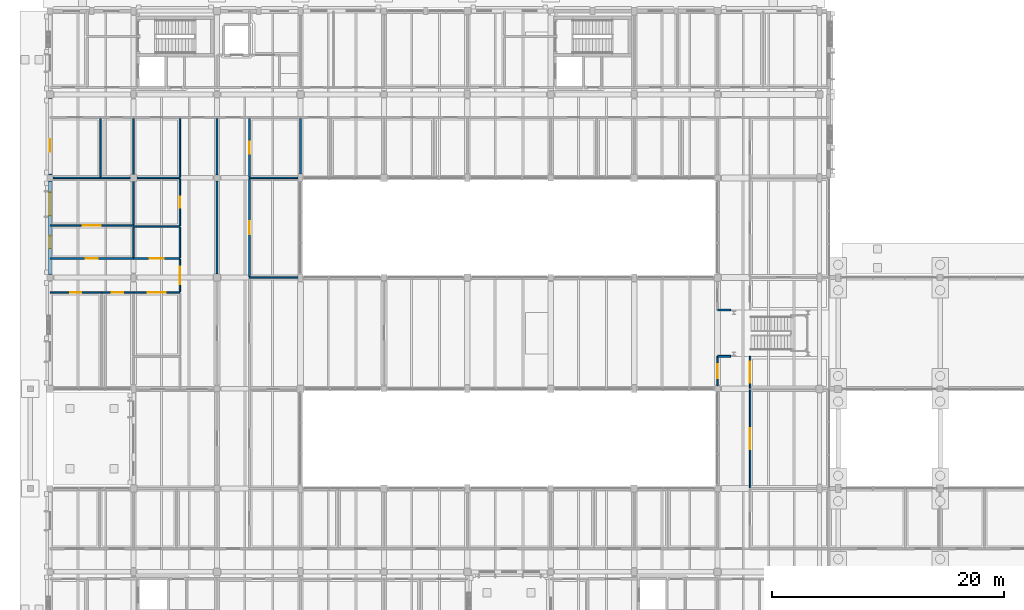
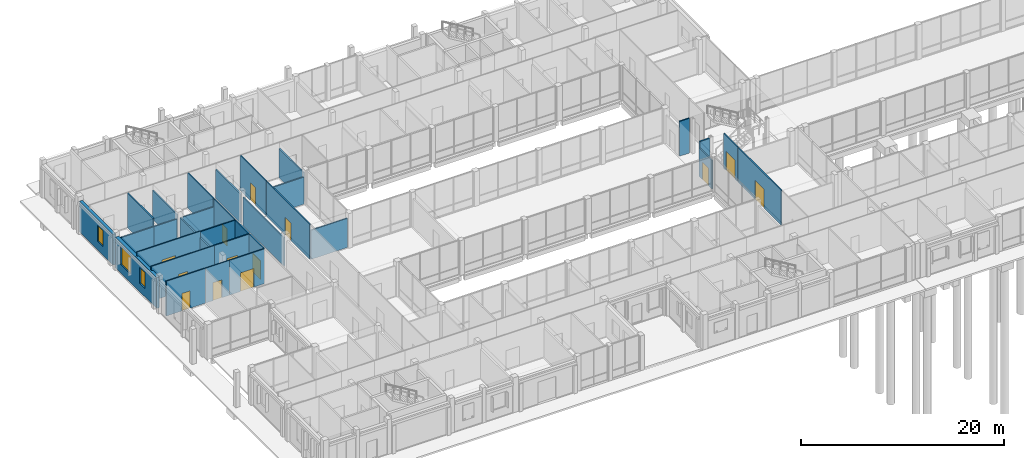
# One storey, part 73 of 104: 32 walls, 13 doors, 3 windows, 16 openings.
"""IFC4 building model written with IfcOpenShell, lengths in metres."""

from ifc_helpers import new_model, si_unit, direction, frame, frame_2d, origin, place, context, subcontext, project, spatial, rectangle, extrude, material, layer, layer_set, type_object, element, fill, save


model = new_model("IFC4")

# Units and contexts
model_context = context("Model", 3, precision=1e-05, world=origin(), true_north=direction((0.0, 1.0)))
body_context = subcontext(model_context, "Body", "Model", "MODEL_VIEW")
ifc_project = project(units=[si_unit("LENGTHUNIT", "METRE"), si_unit("AREAUNIT", "SQUARE_METRE"), si_unit("VOLUMEUNIT", "CUBIC_METRE"), si_unit("PLANEANGLEUNIT", "RADIAN"), si_unit("MASSUNIT", "GRAM", prefix="KILO")], contexts=[model_context])

# Site, building, storey
site_placement = place(None, origin())
site = spatial("IfcSite", under=ifc_project, at=site_placement, CompositionType="ELEMENT")
building_placement = place(site_placement, origin())
building = spatial("IfcBuilding", under=site, at=building_placement, Name="Hawrajan Terrace Health Centre", CompositionType="ELEMENT")
storey_placement = place(building_placement, origin())
storey = spatial("IfcBuildingStorey", under=building, at=storey_placement, Name="L00", CompositionType="ELEMENT", Elevation=0.0)

# Wall, opening, door
ifc_material_1 = material(Name="Gypsum board on acoustic stud framing")
ifc_layer_1 = layer(ifc_material_1, 0.139892578125)
ifc_layer_set_1 = layer_set([ifc_layer_1], Name="Gypsum board on acoustic stud framing")
wall_type_1 = type_object("IfcWallType", Name="ClinicalAcousticWall_140", PredefinedType="PARTITIONING", material=ifc_layer_set_1)
wall_1_placement = place(storey_placement, frame((4.60009765625, 35.5, 0.0), z_axis=(0.0, 0.0, 1.0), x_axis=(1.0, 0.0, 0.0)))
wall_1 = element("IfcWall", 1, at=wall_1_placement, inside=storey, type_object=wall_type_1, Name="Interior wall IW-L00-0200", PredefinedType="PARTITIONING", context=body_context, shape_type="SweptSolid", body=[
    extrude(rectangle(XDim=4.456787109375, YDim=0.139892578125, at=frame_2d((2.228515625, 0.0))), origin(), (0.0, 0.0, 1.0), 4.179931640625),
])
opening_1_placement = place(wall_1_placement, frame((1.75341796875, 0.0, 0.0)))
opening_1 = element("IfcOpeningElement", 2, at=opening_1_placement, cuts=wall_1, Name="Opening D-L00-153", PredefinedType="OPENING", context=body_context, shape_type="SweptSolid", body=[
    extrude(rectangle(XDim=0.949951171875, YDim=2.10009765625, at=frame_2d((0.47509765625, 1.050048828125))), frame((0.0, 0.079833984375, 0.0), z_axis=(0.0, -1.0, 0.0), x_axis=(1.0, 0.0, 0.0)), (0.0, 0.0, 1.0), 0.159912109375),
])
ifc_material_2 = material(Name="Hardwood acoustic clinical door leaf and frame", Category="wood")
door_type_1 = type_object("IfcDoorType", Name="AccessibleWCDoor_950x2100", OperationType="NOTDEFINED", PredefinedType="DOOR", material=ifc_material_2)
door_1_placement = place(opening_1_placement, origin())
door_1 = element("IfcDoor", 3, at=door_1_placement, inside=storey, type_object=door_type_1, Name="Interior door D-L00-153", OperationType="SINGLE_SWING_LEFT", OverallHeight=2.10009765625, OverallWidth=0.949951171875, PredefinedType="DOOR", context=body_context, shape_type="SweptSolid", body=[
    extrude(rectangle(XDim=0.949951171875, YDim=2.10009765625, at=frame_2d((0.47509765625, 1.050048828125))), frame((0.0, 0.02490234375, 0.0), z_axis=(0.0, -1.0, 0.0), x_axis=(1.0, 0.0, 0.0)), (0.0, 0.0, 1.0), 0.050048828125),
])
fill(opening_1, door_1)

wall_2_placement = place(storey_placement, frame((4.60009765625, 38.449951171875, 0.0), z_axis=(0.0, 0.0, 1.0), x_axis=(1.0, 0.0, 0.0)))
wall_2 = element("IfcWall", 4, at=wall_2_placement, inside=storey, type_object=wall_type_1, Name="Interior wall IW-L00-0201", PredefinedType="PARTITIONING", context=body_context, shape_type="SweptSolid", body=[
    extrude(rectangle(XDim=7.199951171875, YDim=0.139892578125, at=frame_2d((3.60009765625, 0.0))), origin(), (0.0, 0.0, 1.0), 4.179931640625),
])
opening_2_placement = place(wall_2_placement, frame((3.070068359375, 0.0, 0.0)))
opening_2 = element("IfcOpeningElement", 5, at=opening_2_placement, cuts=wall_2, Name="Opening D-L00-155", PredefinedType="OPENING", context=body_context, shape_type="SweptSolid", body=[
    extrude(rectangle(XDim=1.06005859375, YDim=2.14990234375, at=frame_2d((0.530029296875, 1.074951171875))), frame((0.0, 0.079833984375, 0.0), z_axis=(0.0, -1.0, 0.0), x_axis=(1.0, 0.0, 0.0)), (0.0, 0.0, 1.0), 0.159912109375),
])
door_type_2 = type_object("IfcDoorType", Name="MentalHealthDoor_1060x2150", OperationType="NOTDEFINED", PredefinedType="DOOR", material=ifc_material_2)
door_2_placement = place(opening_2_placement, origin())
door_2 = element("IfcDoor", 6, at=door_2_placement, inside=storey, type_object=door_type_2, Name="Interior door D-L00-155", OperationType="SINGLE_SWING_LEFT", OverallHeight=2.14990234375, OverallWidth=1.06005859375, PredefinedType="DOOR", context=body_context, shape_type="SweptSolid", body=[
    extrude(rectangle(XDim=1.06005859375, YDim=2.14990234375, at=frame_2d((0.530029296875, 1.074951171875))), frame((0.0, 0.02490234375, 0.0), z_axis=(0.0, -1.0, 0.0), x_axis=(1.0, 0.0, 0.0)), (0.0, 0.0, 1.0), 0.050048828125),
])
fill(opening_2, door_2)

wall_3_placement = place(storey_placement, frame((4.60009765625, 41.279052734375, 0.0), z_axis=(0.0, 0.0, 1.0), x_axis=(1.0, 0.0, 0.0)))
wall_3 = element("IfcWall", 7, at=wall_3_placement, inside=storey, type_object=wall_type_1, Name="Interior wall IW-L00-0202", PredefinedType="PARTITIONING", context=body_context, shape_type="SweptSolid", body=[
    extrude(rectangle(XDim=7.199951171875, YDim=0.139892578125, at=frame_2d((3.60009765625, 0.0))), origin(), (0.0, 0.0, 1.0), 4.179931640625),
])
opening_3_placement = place(wall_3_placement, frame((2.830078125, 0.0, 0.0)))
opening_3 = element("IfcOpeningElement", 8, at=opening_3_placement, cuts=wall_3, Name="Opening D-L00-156", PredefinedType="OPENING", context=body_context, shape_type="SweptSolid", body=[
    extrude(rectangle(XDim=1.5400390625, YDim=2.25, at=frame_2d((0.77001953125, 1.125))), frame((0.0, 0.079833984375, 0.0), z_axis=(0.0, -1.0, 0.0), x_axis=(1.0, 0.0, 0.0)), (0.0, 0.0, 1.0), 0.159912109375),
])
door_type_3 = type_object("IfcDoorType", Name="RecoveryBayDoor_1540x2250", OperationType="DOUBLE_DOOR_SINGLE_SWING", PredefinedType="DOOR", material=ifc_material_2)
door_3_placement = place(opening_3_placement, origin())
door_3 = element("IfcDoor", 9, at=door_3_placement, inside=storey, type_object=door_type_3, Name="Interior door D-L00-156", OperationType="DOUBLE_DOOR_SINGLE_SWING", OverallHeight=2.25, OverallWidth=1.5400390625, PredefinedType="DOOR", context=body_context, shape_type="SweptSolid", body=[
    extrude(rectangle(XDim=1.5400390625, YDim=2.25, at=frame_2d((0.77001953125, 1.125))), frame((0.0, 0.02490234375, 0.0), z_axis=(0.0, -1.0, 0.0), x_axis=(1.0, 0.0, 0.0)), (0.0, 0.0, 1.0), 0.050048828125),
])
fill(opening_3, door_3)

# Walls
wall_4_placement = place(storey_placement, frame((4.85009765625, 45.39990234375, 0.0), z_axis=(0.0, 0.0, 1.0), x_axis=(1.0, 0.0, 0.0)))
element("IfcWall", 10, at=wall_4_placement, inside=storey, type_object=wall_type_1, Name="Interior wall IW-L00-0203", PredefinedType="PARTITIONING", context=body_context, shape_type="SweptSolid", body=[
    extrude(rectangle(XDim=4.083984375, YDim=0.139892578125, at=frame_2d((2.0419921875, 0.0))), origin(), (0.0, 0.0, 1.0), 3.25),
])
wall_5_placement = place(storey_placement, frame((8.93408203125, 45.469970703125, 0.0), z_axis=(0.0, 0.0, 1.0), x_axis=(0.0, 1.0, 0.0)))
element("IfcWall", 11, at=wall_5_placement, inside=storey, type_object=wall_type_1, Name="Interior wall IW-L00-0216", PredefinedType="PARTITIONING", context=body_context, shape_type="SweptSolid", body=[
    extrude(rectangle(XDim=5.06005859375, YDim=0.139892578125, at=frame_2d((2.530029296875, 0.0))), origin(), (0.0, 0.0, 1.0), 4.179931640625),
])
wall_6_placement = place(storey_placement, frame((8.93408203125, 45.39990234375, 0.0), z_axis=(0.0, 0.0, 1.0), x_axis=(1.0, 0.0, 0.0)))
element("IfcWall", 12, at=wall_6_placement, inside=storey, type_object=wall_type_1, Name="Interior wall IW-L00-0217", PredefinedType="PARTITIONING", context=body_context, shape_type="SweptSolid", body=[
    extrude(rectangle(XDim=2.56591796875, YDim=0.139892578125, at=frame_2d((1.282958984375, 0.0))), origin(), (0.0, 0.0, 1.0), 3.25),
])

# Wall, opening, door
wall_7_placement = place(storey_placement, frame((9.056884765625, 35.5, 0.0), z_axis=(0.0, 0.0, 1.0), x_axis=(1.0, 0.0, 0.0)))
wall_7 = element("IfcWall", 13, at=wall_7_placement, inside=storey, type_object=wall_type_1, Name="Interior wall IW-L00-0220", PredefinedType="PARTITIONING", context=body_context, shape_type="SweptSolid", body=[
    extrude(rectangle(XDim=2.7431640625, YDim=0.139892578125, at=frame_2d((1.37158203125, 0.0))), origin(), (0.0, 0.0, 1.0), 4.179931640625),
])
opening_4_placement = place(wall_7_placement, frame((0.881591796875, 0.0, 0.0)))
opening_4 = element("IfcOpeningElement", 14, at=opening_4_placement, cuts=wall_7, Name="Opening D-L00-154", PredefinedType="OPENING", context=body_context, shape_type="SweptSolid", body=[
    extrude(rectangle(XDim=0.97998046875, YDim=2.14990234375, at=frame_2d((0.489990234375, 1.074951171875))), frame((0.0, 0.079833984375, 0.0), z_axis=(0.0, -1.0, 0.0), x_axis=(1.0, 0.0, 0.0)), (0.0, 0.0, 1.0), 0.159912109375),
])
door_type_4 = type_object("IfcDoorType", Name="ConsultDoor_980x2150", OperationType="NOTDEFINED", PredefinedType="DOOR", material=ifc_material_2)
door_4_placement = place(opening_4_placement, origin())
door_4 = element("IfcDoor", 15, at=door_4_placement, inside=storey, type_object=door_type_4, Name="Interior door D-L00-154", OperationType="SINGLE_SWING_RIGHT", OverallHeight=2.14990234375, OverallWidth=0.97998046875, PredefinedType="DOOR", context=body_context, shape_type="SweptSolid", body=[
    extrude(rectangle(XDim=0.97998046875, YDim=2.14990234375, at=frame_2d((0.489990234375, 1.074951171875))), frame((0.0, 0.02490234375, 0.0), z_axis=(0.0, -1.0, 0.0), x_axis=(1.0, 0.0, 0.0)), (0.0, 0.0, 1.0), 0.050048828125),
])
fill(opening_4, door_4)

wall_8_placement = place(storey_placement, frame((11.800048828125, 35.5, 0.0), z_axis=(0.0, 0.0, 1.0), x_axis=(1.0, 0.0, 0.0)))
wall_8 = element("IfcWall", 16, at=wall_8_placement, inside=storey, type_object=wall_type_1, Name="Interior wall IW-L00-0228", PredefinedType="PARTITIONING", context=body_context, shape_type="SweptSolid", body=[
    extrude(rectangle(XDim=4.0, YDim=0.139892578125, at=frame_2d((2.0, 0.0))), origin(), (0.0, 0.0, 1.0), 4.179931640625),
])
opening_5_placement = place(wall_8_placement, frame((1.22998046875, 0.0, 0.0)))
opening_5 = element("IfcOpeningElement", 17, at=opening_5_placement, cuts=wall_8, Name="Opening D-L00-161", PredefinedType="OPENING", context=body_context, shape_type="SweptSolid", body=[
    extrude(rectangle(XDim=1.5400390625, YDim=2.25, at=frame_2d((0.77001953125, 1.125))), frame((0.0, 0.079833984375, 0.0), z_axis=(0.0, -1.0, 0.0), x_axis=(1.0, 0.0, 0.0)), (0.0, 0.0, 1.0), 0.159912109375),
])
door_5_placement = place(opening_5_placement, origin())
door_5 = element("IfcDoor", 18, at=door_5_placement, inside=storey, type_object=door_type_3, Name="Interior door D-L00-161", OperationType="DOUBLE_DOOR_SINGLE_SWING", OverallHeight=2.25, OverallWidth=1.5400390625, PredefinedType="DOOR", context=body_context, shape_type="SweptSolid", body=[
    extrude(rectangle(XDim=1.5400390625, YDim=2.25, at=frame_2d((0.77001953125, 1.125))), frame((0.0, 0.02490234375, 0.0), z_axis=(0.0, -1.0, 0.0), x_axis=(1.0, 0.0, 0.0)), (0.0, 0.0, 1.0), 0.050048828125),
])
fill(opening_5, door_5)

# Wall
wall_9_placement = place(storey_placement, frame((11.800048828125, 38.52001953125, 0.0), z_axis=(0.0, 0.0, 1.0), x_axis=(0.0, 1.0, 0.0)))
element("IfcWall", 19, at=wall_9_placement, inside=storey, type_object=wall_type_1, Name="Interior wall IW-L00-0229", PredefinedType="PARTITIONING", context=body_context, shape_type="SweptSolid", body=[
    extrude(rectangle(XDim=2.6259765625, YDim=0.139892578125, at=frame_2d((1.31298828125, 0.0))), origin(), (0.0, 0.0, 1.0), 3.5),
])

# Wall, opening, door
wall_10_placement = place(storey_placement, frame((11.800048828125, 38.449951171875, 0.0), z_axis=(0.0, 0.0, 1.0), x_axis=(1.0, 0.0, 0.0)))
wall_10 = element("IfcWall", 20, at=wall_10_placement, inside=storey, type_object=wall_type_1, Name="Interior wall IW-L00-0230", PredefinedType="PARTITIONING", context=body_context, shape_type="SweptSolid", body=[
    extrude(rectangle(XDim=4.0, YDim=0.139892578125, at=frame_2d((2.0, 0.0))), origin(), (0.0, 0.0, 1.0), 4.179931640625),
])
opening_6_placement = place(wall_10_placement, frame((1.389892578125, 0.0, 0.0)))
opening_6 = element("IfcOpeningElement", 21, at=opening_6_placement, cuts=wall_10, Name="Opening D-L00-162", PredefinedType="OPENING", context=body_context, shape_type="SweptSolid", body=[
    extrude(rectangle(XDim=1.219970703125, YDim=2.10009765625, at=frame_2d((0.60986328125, 1.050048828125))), frame((0.0, 0.079833984375, 0.0), z_axis=(0.0, -1.0, 0.0), x_axis=(1.0, 0.0, 0.0)), (0.0, 0.0, 1.0), 0.159912109375),
])
door_type_5 = type_object("IfcDoorType", Name="ConsultDoor_1220x2100", OperationType="NOTDEFINED", PredefinedType="DOOR", material=ifc_material_2)
door_6_placement = place(opening_6_placement, origin())
door_6 = element("IfcDoor", 22, at=door_6_placement, inside=storey, type_object=door_type_5, Name="Interior door D-L00-162", OperationType="SINGLE_SWING_RIGHT", OverallHeight=2.10009765625, OverallWidth=1.219970703125, PredefinedType="DOOR", context=body_context, shape_type="SweptSolid", body=[
    extrude(rectangle(XDim=1.219970703125, YDim=2.10009765625, at=frame_2d((0.60986328125, 1.050048828125))), frame((0.0, 0.02490234375, 0.0), z_axis=(0.0, -1.0, 0.0), x_axis=(1.0, 0.0, 0.0)), (0.0, 0.0, 1.0), 0.050048828125),
])
fill(opening_6, door_6)

# Walls
wall_11_placement = place(storey_placement, frame((11.800048828125, 41.216064453125, 0.0), z_axis=(0.0, 0.0, 1.0), x_axis=(1.0, 0.0, 0.0)))
element("IfcWall", 23, at=wall_11_placement, inside=storey, type_object=wall_type_1, Name="Interior wall IW-L00-0231", PredefinedType="PARTITIONING", context=body_context, shape_type="SweptSolid", body=[
    extrude(rectangle(XDim=4.0, YDim=0.139892578125, at=frame_2d((2.0, 0.0))), origin(), (0.0, 0.0, 1.0), 4.179931640625),
])
wall_12_placement = place(storey_placement, frame((11.800048828125, 41.34912109375, 0.0), z_axis=(0.0, 0.0, 1.0), x_axis=(0.0, 1.0, 0.0)))
element("IfcWall", 24, at=wall_12_placement, inside=storey, type_object=wall_type_1, Name="Interior wall IW-L00-0232", PredefinedType="PARTITIONING", context=body_context, shape_type="SweptSolid", body=[
    extrude(rectangle(XDim=3.7509765625, YDim=0.139892578125, at=frame_2d((1.87548828125, 0.0))), origin(), (0.0, 0.0, 1.0), 3.5),
])
wall_13_placement = place(storey_placement, frame((11.800048828125, 45.699951171875, 0.0), z_axis=(0.0, 0.0, 1.0), x_axis=(0.0, 1.0, 0.0)))
element("IfcWall", 25, at=wall_13_placement, inside=storey, type_object=wall_type_1, Name="Interior wall IW-L00-0233", PredefinedType="PARTITIONING", context=body_context, shape_type="SweptSolid", body=[
    extrude(rectangle(XDim=4.830078125, YDim=0.139892578125, at=frame_2d((2.4150390625, 0.0))), origin(), (0.0, 0.0, 1.0), 3.5),
])
wall_14_placement = place(storey_placement, frame((12.10009765625, 45.39990234375, 0.0), z_axis=(0.0, 0.0, 1.0), x_axis=(1.0, 0.0, 0.0)))
element("IfcWall", 26, at=wall_14_placement, inside=storey, type_object=wall_type_1, Name="Interior wall IW-L00-0234", PredefinedType="PARTITIONING", context=body_context, shape_type="SweptSolid", body=[
    extrude(rectangle(XDim=3.699951171875, YDim=0.139892578125, at=frame_2d((1.85009765625, 0.0))), origin(), (0.0, 0.0, 1.0), 3.25),
])

# Wall, opening, door
wall_15_placement = place(storey_placement, frame((15.800048828125, 35.570068359375, 0.0), z_axis=(0.0, 0.0, 1.0), x_axis=(0.0, 1.0, 0.0)))
wall_15 = element("IfcWall", 27, at=wall_15_placement, inside=storey, type_object=wall_type_1, Name="Interior wall IW-L00-0244", PredefinedType="PARTITIONING", context=body_context, shape_type="SweptSolid", body=[
    extrude(rectangle(XDim=2.809814453125, YDim=0.139892578125, at=frame_2d((1.40478515625, 0.0))), origin(), (0.0, 0.0, 1.0), 4.179931640625),
])
opening_7_placement = place(wall_15_placement, frame((0.635009765625, 0.0, 0.0)))
opening_7 = element("IfcOpeningElement", 28, at=opening_7_placement, cuts=wall_15, Name="Opening D-L00-112", PredefinedType="OPENING", context=body_context, shape_type="SweptSolid", body=[
    extrude(rectangle(XDim=1.5400390625, YDim=2.25, at=frame_2d((0.77001953125, 1.125))), frame((0.0, 0.079833984375, 0.0), z_axis=(0.0, -1.0, 0.0), x_axis=(1.0, 0.0, 0.0)), (0.0, 0.0, 1.0), 0.159912109375),
])
door_7_placement = place(opening_7_placement, origin())
door_7 = element("IfcDoor", 29, at=door_7_placement, inside=storey, type_object=door_type_3, Name="Interior door D-L00-112", OperationType="DOUBLE_DOOR_SINGLE_SWING", OverallHeight=2.25, OverallWidth=1.5400390625, PredefinedType="DOOR", context=body_context, shape_type="SweptSolid", body=[
    extrude(rectangle(XDim=1.5400390625, YDim=2.25, at=frame_2d((0.77001953125, 1.125))), frame((0.0, 0.02490234375, 0.0), z_axis=(0.0, -1.0, 0.0), x_axis=(1.0, 0.0, 0.0)), (0.0, 0.0, 1.0), 0.050048828125),
])
fill(opening_7, door_7)

# Wall
wall_16_placement = place(storey_placement, frame((15.800048828125, 38.52001953125, 0.0), z_axis=(0.0, 0.0, 1.0), x_axis=(0.0, 1.0, 0.0)))
element("IfcWall", 30, at=wall_16_placement, inside=storey, type_object=wall_type_1, Name="Interior wall IW-L00-0245", PredefinedType="PARTITIONING", context=body_context, shape_type="SweptSolid", body=[
    extrude(rectangle(XDim=2.6259765625, YDim=0.139892578125, at=frame_2d((1.31298828125, 0.0))), origin(), (0.0, 0.0, 1.0), 4.179931640625),
])

# Wall, opening, door
wall_17_placement = place(storey_placement, frame((15.800048828125, 41.285888671875, 0.0), z_axis=(0.0, 0.0, 1.0), x_axis=(0.0, 1.0, 0.0)))
wall_17 = element("IfcWall", 31, at=wall_17_placement, inside=storey, type_object=wall_type_1, Name="Interior wall IW-L00-0246", PredefinedType="PARTITIONING", context=body_context, shape_type="SweptSolid", body=[
    extrude(rectangle(XDim=4.044189453125, YDim=0.139892578125, at=frame_2d((2.02197265625, 0.0))), origin(), (0.0, 0.0, 1.0), 4.179931640625),
])
opening_8_placement = place(wall_17_placement, frame((1.547119140625, 0.0, 0.0)))
opening_8 = element("IfcOpeningElement", 32, at=opening_8_placement, cuts=wall_17, Name="Opening D-L00-163", PredefinedType="OPENING", context=body_context, shape_type="SweptSolid", body=[
    extrude(rectangle(XDim=0.949951171875, YDim=2.10009765625, at=frame_2d((0.47509765625, 1.050048828125))), frame((0.0, 0.079833984375, 0.0), z_axis=(0.0, -1.0, 0.0), x_axis=(1.0, 0.0, 0.0)), (0.0, 0.0, 1.0), 0.159912109375),
])
door_8_placement = place(opening_8_placement, origin())
door_8 = element("IfcDoor", 33, at=door_8_placement, inside=storey, type_object=door_type_1, Name="Interior door D-L00-163", OperationType="SINGLE_SWING_LEFT", OverallHeight=2.10009765625, OverallWidth=0.949951171875, PredefinedType="DOOR", context=body_context, shape_type="SweptSolid", body=[
    extrude(rectangle(XDim=0.949951171875, YDim=2.10009765625, at=frame_2d((0.47509765625, 1.050048828125))), frame((0.0, 0.02490234375, 0.0), z_axis=(0.0, -1.0, 0.0), x_axis=(1.0, 0.0, 0.0)), (0.0, 0.0, 1.0), 0.050048828125),
])
fill(opening_8, door_8)

# Walls
wall_18_placement = place(storey_placement, frame((15.800048828125, 45.469970703125, 0.0), z_axis=(0.0, 0.0, 1.0), x_axis=(0.0, 1.0, 0.0)))
element("IfcWall", 34, at=wall_18_placement, inside=storey, type_object=wall_type_1, Name="Interior wall IW-L00-0247", PredefinedType="PARTITIONING", context=body_context, shape_type="SweptSolid", body=[
    extrude(rectangle(XDim=5.06005859375, YDim=0.139892578125, at=frame_2d((2.530029296875, 0.0))), origin(), (0.0, 0.0, 1.0), 4.179931640625),
])
wall_19_placement = place(storey_placement, frame((19.0, 37.10009765625, 0.0), z_axis=(0.0, 0.0, 1.0), x_axis=(0.0, 1.0, 0.0)))
element("IfcWall", 35, at=wall_19_placement, inside=storey, type_object=wall_type_1, Name="Interior wall IW-L00-0254", PredefinedType="PARTITIONING", context=body_context, shape_type="SweptSolid", body=[
    extrude(rectangle(XDim=8.0498046875, YDim=0.139892578125, at=frame_2d((4.02490234375, 0.0))), origin(), (0.0, 0.0, 1.0), 3.39990234375),
])
wall_20_placement = place(storey_placement, frame((19.0, 45.64990234375, 0.0), z_axis=(0.0, 0.0, 1.0), x_axis=(0.0, 1.0, 0.0)))
element("IfcWall", 36, at=wall_20_placement, inside=storey, type_object=wall_type_1, Name="Interior wall IW-L00-0255", PredefinedType="PARTITIONING", context=body_context, shape_type="SweptSolid", body=[
    extrude(rectangle(XDim=4.880126953125, YDim=0.139892578125, at=frame_2d((2.43994140625, 0.0))), origin(), (0.0, 0.0, 1.0), 3.5),
])

# Wall, opening, door
wall_21_placement = place(storey_placement, frame((21.800048828125, 36.8701171875, 0.0), z_axis=(0.0, 0.0, 1.0), x_axis=(0.0, 1.0, 0.0)))
wall_21 = element("IfcWall", 37, at=wall_21_placement, inside=storey, type_object=wall_type_1, Name="Interior wall IW-L00-0264", PredefinedType="PARTITIONING", context=body_context, shape_type="SweptSolid", body=[
    extrude(rectangle(XDim=8.4599609375, YDim=0.139892578125, at=frame_2d((4.22998046875, 0.0))), origin(), (0.0, 0.0, 1.0), 4.179931640625),
])
opening_9_placement = place(wall_21_placement, frame((3.64990234375, 0.0, 0.0)))
opening_9 = element("IfcOpeningElement", 38, at=opening_9_placement, cuts=wall_21, Name="Opening D-L00-150", PredefinedType="OPENING", context=body_context, shape_type="SweptSolid", body=[
    extrude(rectangle(XDim=1.159912109375, YDim=2.10009765625, at=frame_2d((0.580078125, 1.050048828125))), frame((0.0, 0.079833984375, 0.0), z_axis=(0.0, -1.0, 0.0), x_axis=(1.0, 0.0, 0.0)), (0.0, 0.0, 1.0), 0.159912109375),
])
door_type_6 = type_object("IfcDoorType", Name="ConsultDoor_1160x2100", OperationType="NOTDEFINED", PredefinedType="DOOR", material=ifc_material_2)
door_9_placement = place(opening_9_placement, origin())
door_9 = element("IfcDoor", 39, at=door_9_placement, inside=storey, type_object=door_type_6, Name="Interior door D-L00-150", OperationType="SINGLE_SWING_RIGHT", OverallHeight=2.10009765625, OverallWidth=1.159912109375, PredefinedType="DOOR", context=body_context, shape_type="SweptSolid", body=[
    extrude(rectangle(XDim=1.159912109375, YDim=2.10009765625, at=frame_2d((0.580078125, 1.050048828125))), frame((0.0, 0.02490234375, 0.0), z_axis=(0.0, -1.0, 0.0), x_axis=(1.0, 0.0, 0.0)), (0.0, 0.0, 1.0), 0.050048828125),
])
fill(opening_9, door_9)

# Wall
wall_22_placement = place(storey_placement, frame((21.800048828125, 36.800048828125, 0.0), z_axis=(0.0, 0.0, 1.0), x_axis=(1.0, 0.0, 0.0)))
element("IfcWall", 40, at=wall_22_placement, inside=storey, type_object=wall_type_1, Name="Interior wall IW-L00-0265", PredefinedType="PARTITIONING", context=body_context, shape_type="SweptSolid", body=[
    extrude(rectangle(XDim=4.175048828125, YDim=0.139892578125, at=frame_2d((2.08740234375, 0.0))), origin(), (0.0, 0.0, 1.0), 3.5),
])

# Wall, opening, door
wall_23_placement = place(storey_placement, frame((21.800048828125, 45.469970703125, 0.0), z_axis=(0.0, 0.0, 1.0), x_axis=(0.0, 1.0, 0.0)))
wall_23 = element("IfcWall", 41, at=wall_23_placement, inside=storey, type_object=wall_type_1, Name="Interior wall IW-L00-0266", PredefinedType="PARTITIONING", context=body_context, shape_type="SweptSolid", body=[
    extrude(rectangle(XDim=5.06005859375, YDim=0.139892578125, at=frame_2d((2.530029296875, 0.0))), origin(), (0.0, 0.0, 1.0), 4.179931640625),
])
opening_10_placement = place(wall_23_placement, frame((2.0, 0.0, 0.0)))
opening_10 = element("IfcOpeningElement", 42, at=opening_10_placement, cuts=wall_23, Name="Opening D-L00-165", PredefinedType="OPENING", context=body_context, shape_type="SweptSolid", body=[
    extrude(rectangle(XDim=1.06005859375, YDim=2.14990234375, at=frame_2d((0.530029296875, 1.074951171875))), frame((0.0, 0.079833984375, 0.0), z_axis=(0.0, -1.0, 0.0), x_axis=(1.0, 0.0, 0.0)), (0.0, 0.0, 1.0), 0.159912109375),
])
door_10_placement = place(opening_10_placement, origin())
door_10 = element("IfcDoor", 43, at=door_10_placement, inside=storey, type_object=door_type_2, Name="Interior door D-L00-165", OperationType="SINGLE_SWING_LEFT", OverallHeight=2.14990234375, OverallWidth=1.06005859375, PredefinedType="DOOR", context=body_context, shape_type="SweptSolid", body=[
    extrude(rectangle(XDim=1.06005859375, YDim=2.14990234375, at=frame_2d((0.530029296875, 1.074951171875))), frame((0.0, 0.02490234375, 0.0), z_axis=(0.0, -1.0, 0.0), x_axis=(1.0, 0.0, 0.0)), (0.0, 0.0, 1.0), 0.050048828125),
])
fill(opening_10, door_10)

# Walls
wall_24_placement = place(storey_placement, frame((21.800048828125, 45.39990234375, 0.0), z_axis=(0.0, 0.0, 1.0), x_axis=(1.0, 0.0, 0.0)))
element("IfcWall", 44, at=wall_24_placement, inside=storey, type_object=wall_type_1, Name="Interior wall IW-L00-0267", PredefinedType="PARTITIONING", context=body_context, shape_type="SweptSolid", body=[
    extrude(rectangle(XDim=4.175048828125, YDim=0.139892578125, at=frame_2d((2.08740234375, 0.0))), origin(), (0.0, 0.0, 1.0), 3.25),
])
wall_25_placement = place(storey_placement, frame((26.199951171875, 45.72509765625, 0.0), z_axis=(0.0, 0.0, 1.0), x_axis=(0.0, 1.0, 0.0)))
element("IfcWall", 45, at=wall_25_placement, inside=storey, type_object=wall_type_1, Name="Interior wall IW-L00-0274", PredefinedType="PARTITIONING", context=body_context, shape_type="SweptSolid", body=[
    extrude(rectangle(XDim=4.804931640625, YDim=0.139892578125, at=frame_2d((2.40234375, 0.0))), origin(), (0.0, 0.0, 1.0), 3.5),
])

# Wall, opening, door
wall_26_placement = place(storey_placement, frame((62.199951171875, 27.449951171875, 0.0), z_axis=(0.0, 0.0, 1.0), x_axis=(0.0, 1.0, 0.0)))
wall_26 = element("IfcWall", 46, at=wall_26_placement, inside=storey, type_object=wall_type_1, Name="Interior wall IW-L00-0336", PredefinedType="PARTITIONING", context=body_context, shape_type="SweptSolid", body=[
    extrude(rectangle(XDim=2.550048828125, YDim=0.139892578125, at=frame_2d((1.27490234375, 0.0))), origin(), (0.0, 0.0, 1.0), 3.39990234375),
])
opening_11_placement = place(wall_26_placement, frame((0.6650390625, 0.0, 0.0)))
opening_11 = element("IfcOpeningElement", 47, at=opening_11_placement, cuts=wall_26, Name="Opening D-L00-129", PredefinedType="OPENING", context=body_context, shape_type="SweptSolid", body=[
    extrude(rectangle(XDim=1.219970703125, YDim=2.10009765625, at=frame_2d((0.60986328125, 1.050048828125))), frame((0.0, 0.079833984375, 0.0), z_axis=(0.0, -1.0, 0.0), x_axis=(1.0, 0.0, 0.0)), (0.0, 0.0, 1.0), 0.159912109375),
])
door_11_placement = place(opening_11_placement, origin())
door_11 = element("IfcDoor", 48, at=door_11_placement, inside=storey, type_object=door_type_5, Name="Interior door D-L00-129", OperationType="SINGLE_SWING_LEFT", OverallHeight=2.10009765625, OverallWidth=1.219970703125, PredefinedType="DOOR", context=body_context, shape_type="SweptSolid", body=[
    extrude(rectangle(XDim=1.219970703125, YDim=2.10009765625, at=frame_2d((0.60986328125, 1.050048828125))), frame((0.0, 0.02490234375, 0.0), z_axis=(0.0, -1.0, 0.0), x_axis=(1.0, 0.0, 0.0)), (0.0, 0.0, 1.0), 0.050048828125),
])
fill(opening_11, door_11)

wall_27_placement = place(storey_placement, frame((65.0, 18.669921875, 0.0), z_axis=(0.0, 0.0, 1.0), x_axis=(0.0, 1.0, 0.0)))
wall_27 = element("IfcWall", 49, at=wall_27_placement, inside=storey, type_object=wall_type_1, Name="Interior wall IW-L00-0344", PredefinedType="PARTITIONING", context=body_context, shape_type="SweptSolid", body=[
    extrude(rectangle(XDim=8.4599609375, YDim=0.139892578125, at=frame_2d((4.22998046875, 0.0))), origin(), (0.0, 0.0, 1.0), 4.179931640625),
])
opening_12_placement = place(wall_27_placement, frame((3.330078125, 0.0, 0.0)))
opening_12 = element("IfcOpeningElement", 50, at=opening_12_placement, cuts=wall_27, Name="Opening D-L00-151", PredefinedType="OPENING", context=body_context, shape_type="SweptSolid", body=[
    extrude(rectangle(XDim=1.800048828125, YDim=2.300048828125, at=frame_2d((0.89990234375, 1.14990234375))), frame((0.0, 0.079833984375, 0.0), z_axis=(0.0, -1.0, 0.0), x_axis=(1.0, 0.0, 0.0)), (0.0, 0.0, 1.0), 0.159912109375),
])
door_type_7 = type_object("IfcDoorType", Name="EducationHallDoor_1800x2300", OperationType="DOUBLE_DOOR_SINGLE_SWING", PredefinedType="DOOR", material=ifc_material_2)
door_12_placement = place(opening_12_placement, origin())
door_12 = element("IfcDoor", 51, at=door_12_placement, inside=storey, type_object=door_type_7, Name="Interior door D-L00-151", OperationType="DOUBLE_DOOR_SINGLE_SWING", OverallHeight=2.300048828125, OverallWidth=1.800048828125, PredefinedType="DOOR", context=body_context, shape_type="SweptSolid", body=[
    extrude(rectangle(XDim=1.800048828125, YDim=2.300048828125, at=frame_2d((0.89990234375, 1.14990234375))), frame((0.0, 0.02490234375, 0.0), z_axis=(0.0, -1.0, 0.0), x_axis=(1.0, 0.0, 0.0)), (0.0, 0.0, 1.0), 0.050048828125),
])
fill(opening_12, door_12)

wall_28_placement = place(storey_placement, frame((65.0, 27.27001953125, 0.0), z_axis=(0.0, 0.0, 1.0), x_axis=(0.0, 1.0, 0.0)))
wall_28 = element("IfcWall", 52, at=wall_28_placement, inside=storey, type_object=wall_type_1, Name="Interior wall IW-L00-0347", PredefinedType="PARTITIONING", context=body_context, shape_type="SweptSolid", body=[
    extrude(rectangle(XDim=2.72998046875, YDim=0.139892578125, at=frame_2d((1.364990234375, 0.0))), origin(), (0.0, 0.0, 1.0), 4.179931640625),
])
opening_13_placement = place(wall_28_placement, frame((0.465087890625, 0.0, 0.0)))
opening_13 = element("IfcOpeningElement", 53, at=opening_13_placement, cuts=wall_28, Name="Opening D-L00-130", PredefinedType="OPENING", context=body_context, shape_type="SweptSolid", body=[
    extrude(rectangle(XDim=1.800048828125, YDim=2.300048828125, at=frame_2d((0.89990234375, 1.14990234375))), frame((0.0, 0.079833984375, 0.0), z_axis=(0.0, -1.0, 0.0), x_axis=(1.0, 0.0, 0.0)), (0.0, 0.0, 1.0), 0.159912109375),
])
door_13_placement = place(opening_13_placement, origin())
door_13 = element("IfcDoor", 54, at=door_13_placement, inside=storey, type_object=door_type_7, Name="Interior door D-L00-130", OperationType="DOUBLE_DOOR_SINGLE_SWING", OverallHeight=2.300048828125, OverallWidth=1.800048828125, PredefinedType="DOOR", context=body_context, shape_type="SweptSolid", body=[
    extrude(rectangle(XDim=1.800048828125, YDim=2.300048828125, at=frame_2d((0.89990234375, 1.14990234375))), frame((0.0, 0.02490234375, 0.0), z_axis=(0.0, -1.0, 0.0), x_axis=(1.0, 0.0, 0.0)), (0.0, 0.0, 1.0), 0.050048828125),
])
fill(opening_13, door_13)

# Wall, opening, window
ifc_material_3 = material(Name="Precast concrete C40/50", Category="concrete")
ifc_layer_2 = layer(ifc_material_3, 0.340087890625)
ifc_layer_set_2 = layer_set([ifc_layer_2], Name="Precast concrete C40/50")
wall_type_2 = type_object("IfcWallType", Name="CoralAshlarWall_340", PredefinedType="SOLIDWALL", material=ifc_layer_set_2)
wall_29_placement = place(storey_placement, frame((4.60009765625, 45.64990234375, 0.0), z_axis=(0.0, 0.0, 1.0), x_axis=(0.0, 1.0, 0.0)))
wall_29 = element("IfcWall", 55, at=wall_29_placement, inside=storey, type_object=wall_type_2, Name="Exterior wall EW-L00-V00-05-1", PredefinedType="SOLIDWALL", context=body_context, shape_type="SweptSolid", body=[
    extrude(rectangle(XDim=6.650146484375, YDim=0.340087890625, at=frame_2d((3.3251953125, 0.0))), origin(), (0.0, 0.0, 1.0), 3.679931640625),
])
opening_14_placement = place(wall_29_placement, frame((1.9951171875, 0.0, 1.0)))
opening_14 = element("IfcOpeningElement", 56, at=opening_14_placement, cuts=wall_29, Name="Opening W-L00-009", PredefinedType="OPENING", context=body_context, shape_type="SweptSolid", body=[
    extrude(rectangle(XDim=1.080078125, YDim=1.949951171875, at=frame_2d((0.5400390625, 0.97509765625))), frame((0.0, 0.179931640625, 0.0), z_axis=(0.0, -1.0, 0.0), x_axis=(1.0, 0.0, 0.0)), (0.0, 0.0, 1.0), 0.360107421875),
])
ifc_material_4 = material(Name="Anodized bronze frame with double low-E glazing", Category="glass")
window_type_1 = type_object("IfcWindowType", Name="FacadeWindow_1080x1950", PartitioningType="SINGLE_PANEL", PredefinedType="WINDOW", material=ifc_material_4)
window_1_placement = place(opening_14_placement, origin())
window_1 = element("IfcWindow", 57, at=window_1_placement, inside=storey, type_object=window_type_1, Name="Window W-L00-009", OverallHeight=1.949951171875, OverallWidth=1.080078125, PartitioningType="SINGLE_PANEL", PredefinedType="WINDOW", context=body_context, shape_type="SweptSolid", body=[
    extrude(rectangle(XDim=1.080078125, YDim=1.949951171875, at=frame_2d((0.5400390625, 0.97509765625))), frame((0.0, 0.030029296875, 0.0), z_axis=(0.0, -1.0, 0.0), x_axis=(1.0, 0.0, 0.0)), (0.0, 0.0, 1.0), 0.06005859375),
])
fill(opening_14, window_1)

# Wall, openings, windows
ifc_layer_3 = layer(ifc_material_3, 0.360107421875)
ifc_layer_set_3 = layer_set([ifc_layer_3], Name="Precast concrete C40/50")
wall_type_3 = type_object("IfcWallType", Name="CoralPodiumWall_360", PredefinedType="SOLIDWALL", material=ifc_layer_set_3)
wall_30_placement = place(storey_placement, frame((4.60009765625, 37.050048828125, 0.0), z_axis=(0.0, 0.0, 1.0), x_axis=(0.0, 1.0, 0.0)))
wall_30 = element("IfcWall", 58, at=wall_30_placement, inside=storey, type_object=wall_type_3, Name="Exterior wall EW-L00-V00-04-1", PredefinedType="SOLIDWALL", context=body_context, shape_type="SweptSolid", body=[
    extrude(rectangle(XDim=8.099853515625, YDim=0.360107421875, at=frame_2d((4.0498046875, 0.0))), origin(), (0.0, 0.0, 1.0), 3.679931640625),
])
opening_15_placement = place(wall_30_placement, frame((2.2744140625, 0.0, 1.0)))
opening_15 = element("IfcOpeningElement", 59, at=opening_15_placement, cuts=wall_30, Name="Opening W-L00-007", PredefinedType="OPENING", context=body_context, shape_type="SweptSolid", body=[
    extrude(rectangle(XDim=1.080078125, YDim=1.949951171875, at=frame_2d((0.5400390625, 0.97509765625))), frame((0.0, 0.18994140625, 0.0), z_axis=(0.0, -1.0, 0.0), x_axis=(1.0, 0.0, 0.0)), (0.0, 0.0, 1.0), 0.380126953125),
])
opening_16_placement = place(wall_30_placement, frame((5.104248046875, 0.0, 1.0)))
opening_16 = element("IfcOpeningElement", 60, at=opening_16_placement, cuts=wall_30, Name="Opening W-L00-008", PredefinedType="OPENING", context=body_context, shape_type="SweptSolid", body=[
    extrude(rectangle(XDim=2.0, YDim=2.199951171875, at=frame_2d((1.0, 1.10009765625))), frame((0.0, 0.18994140625, 0.0), z_axis=(0.0, -1.0, 0.0), x_axis=(1.0, 0.0, 0.0)), (0.0, 0.0, 1.0), 0.380126953125),
])
window_2_placement = place(opening_15_placement, origin())
window_2 = element("IfcWindow", 61, at=window_2_placement, inside=storey, type_object=window_type_1, Name="Window W-L00-007", OverallHeight=1.949951171875, OverallWidth=1.080078125, PartitioningType="SINGLE_PANEL", PredefinedType="WINDOW", context=body_context, shape_type="SweptSolid", body=[
    extrude(rectangle(XDim=1.080078125, YDim=1.949951171875, at=frame_2d((0.5400390625, 0.97509765625))), frame((0.0, 0.030029296875, 0.0), z_axis=(0.0, -1.0, 0.0), x_axis=(1.0, 0.0, 0.0)), (0.0, 0.0, 1.0), 0.06005859375),
])
fill(opening_15, window_2)
window_type_2 = type_object("IfcWindowType", Name="FacadeWindow_2000x2200", PartitioningType="DOUBLE_PANEL_VERTICAL", PredefinedType="WINDOW", material=ifc_material_4)
window_3_placement = place(opening_16_placement, origin())
window_3 = element("IfcWindow", 62, at=window_3_placement, inside=storey, type_object=window_type_2, Name="Window W-L00-008", OverallHeight=2.199951171875, OverallWidth=2.0, PartitioningType="DOUBLE_PANEL_VERTICAL", PredefinedType="WINDOW", context=body_context, shape_type="SweptSolid", body=[
    extrude(rectangle(XDim=2.0, YDim=2.199951171875, at=frame_2d((1.0, 1.10009765625))), frame((0.0, 0.030029296875, 0.0), z_axis=(0.0, -1.0, 0.0), x_axis=(1.0, 0.0, 0.0)), (0.0, 0.0, 1.0), 0.06005859375),
])
fill(opening_16, window_3)

# Walls
ifc_layer_4 = layer(ifc_material_1, 0.159912109375)
ifc_layer_set_4 = layer_set([ifc_layer_4], Name="Gypsum board on acoustic stud framing")
wall_type_4 = type_object("IfcWallType", Name="CorridorFireWall_160", PredefinedType="PARTITIONING", material=ifc_layer_set_4)
for number, where, z_axis, x_axis, name in (
    (63, (63.320068359375, 30.0, 0.0), (0.0, 0.0, 1.0), (-1.0, 0.0, 0.0), "Interior wall IW-L00-0491"),
    (64, (62.199951171875, 34.0, 0.0), (0.0, 0.0, 1.0), (1.0, 0.0, 0.0), "Interior wall IW-L00-0492"),
):
    element("IfcWall", number, at=place(storey_placement, frame(where, z_axis=z_axis, x_axis=x_axis)), inside=storey, type_object=wall_type_4, Name=name, PredefinedType="PARTITIONING", context=body_context, shape_type="SweptSolid", body=[
        extrude(rectangle(XDim=1.1201171875, YDim=0.159912109375, at=frame_2d((0.56005859375, 0.0))), origin(), (0.0, 0.0, 1.0), 4.179931640625),
    ])

save(model, "model.ifc")
